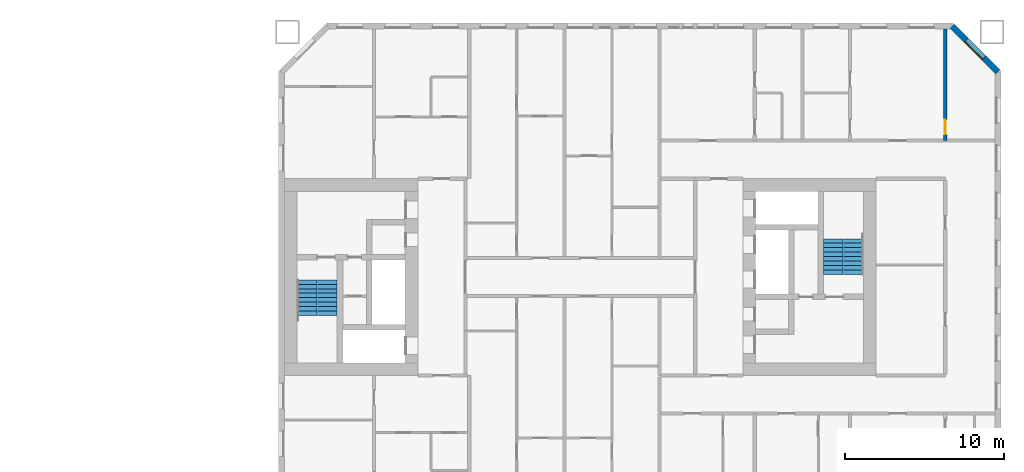
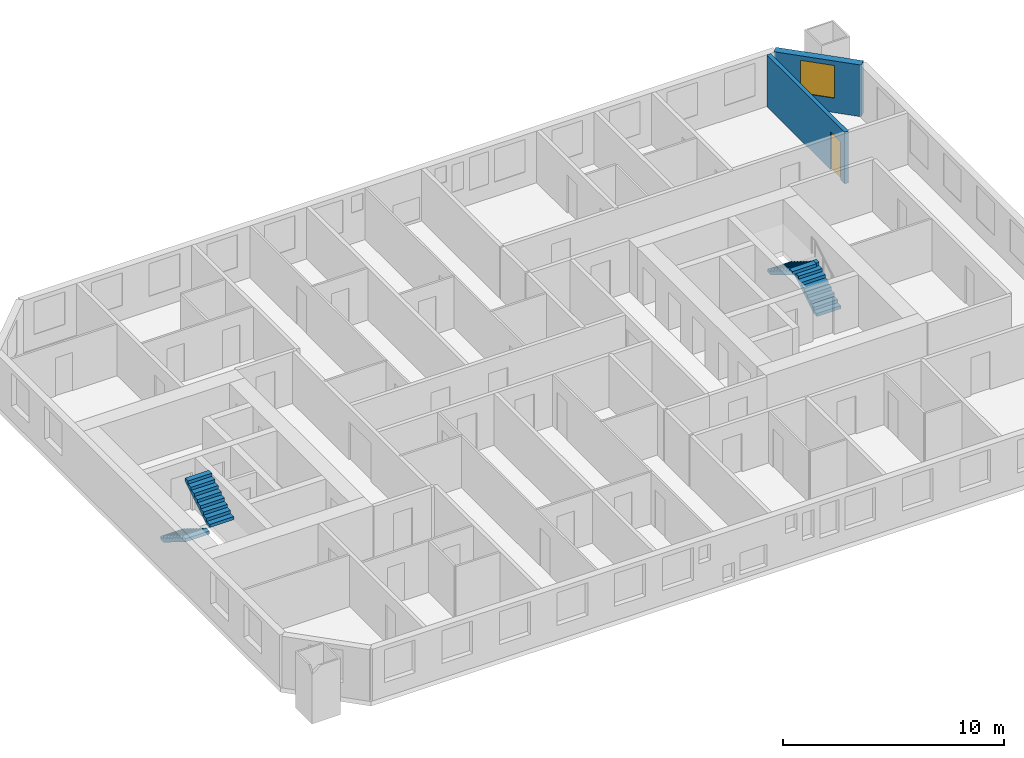
# One storey, part 14 of 16: 4 stair flights, 2 walls, 1 door, 1 window, 2 openings, 2 elements without a shape of their own.
"""IFC4 building model written with IfcOpenShell, lengths in metres."""

from ifc_helpers import new_model, si_unit, direction, frame, frame_2d, origin, place, context, subcontext, project, spatial, polyline, rectangle, outline, extrude, material, layer, layer_set, type_object, element, fill, aggregate, save


model = new_model("IFC4")

# Units and contexts
model_context = context("Model", 3, precision=1e-05, world=origin(), true_north=direction((0.0, 1.0)))
body_context = subcontext(model_context, "Body", "Model", "MODEL_VIEW")
ifc_project = project(units=[si_unit("LENGTHUNIT", "METRE"), si_unit("AREAUNIT", "SQUARE_METRE"), si_unit("VOLUMEUNIT", "CUBIC_METRE"), si_unit("PLANEANGLEUNIT", "RADIAN"), si_unit("MASSUNIT", "GRAM", prefix="KILO")], contexts=[model_context])

# Site, building, storey
site_placement = place(None, origin())
site = spatial("IfcSite", under=ifc_project, at=site_placement, CompositionType="ELEMENT")
building_placement = place(site_placement, origin())
building = spatial("IfcBuilding", under=site, at=building_placement, Name="Tuart Gate Housing", CompositionType="ELEMENT")
storey_placement = place(building_placement, frame((0.0, 0.0, 59.800048828125)))
storey = spatial("IfcBuildingStorey", under=building, at=storey_placement, Name="L16", CompositionType="ELEMENT", Elevation=59.800048828125)

# Wall, opening, window
ifc_material_1 = material(Name="Brick", Category="masonry")
ifc_layer_1 = layer(ifc_material_1, 0.360107421875)
ifc_layer_set_1 = layer_set([ifc_layer_1], Name="Brick pier and spandrel wall 360")
wall_type_1 = type_object("IfcWallType", Name="Brick pier and spandrel wall 360", PredefinedType="STANDARD", material=ifc_layer_set_1)
wall_1_placement = place(storey_placement, frame((176.320068359375, 82.92529296875, 0.0), z_axis=(0.0, 0.0, 1.0), x_axis=(-0.707106781187, 0.707106781187, 0.0)))
wall_1 = element("IfcWall", 1, at=wall_1_placement, inside=storey, type_object=wall_type_1, Name="External wall B-NE L16", PredefinedType="STANDARD", context=body_context, shape_type="SweptSolid", body=[
    extrude(rectangle(XDim=4.09375, YDim=0.360107421875, at=frame_2d((2.046875, 0.0))), origin(), (0.0, 0.0, 1.0), 2.849853515625),
])
opening_1_placement = place(wall_1_placement, frame((1.2470703125, 0.0, 0.800048828125)))
opening_1 = element("IfcOpeningElement", 2, at=opening_1_placement, cuts=wall_1, Name="Opening W1", PredefinedType="OPENING", context=body_context, shape_type="SweptSolid", body=[
    extrude(rectangle(XDim=1.60009765625, YDim=1.800048828125, at=frame_2d((0.800048828125, 0.89990234375))), frame((0.0, 0.18994140625, 0.0), z_axis=(0.0, -1.0, 0.0), x_axis=(1.0, 0.0, 0.0)), (0.0, 0.0, 1.0), 0.380126953125),
])
ifc_material_2 = material(Name="Aluminium frame with clear glass", Category="aluminium")
window_type = type_object("IfcWindowType", Name="Punched window 1600 x 1800", PartitioningType="SINGLE_PANEL", PredefinedType="WINDOW", material=ifc_material_2)
window_placement = place(opening_1_placement, origin())
window = element("IfcWindow", 3, at=window_placement, inside=storey, type_object=window_type, Name="Window W1", OverallHeight=1.800048828125, OverallWidth=1.60009765625, PartitioningType="SINGLE_PANEL", PredefinedType="WINDOW", context=body_context, shape_type="SweptSolid", body=[
    extrude(rectangle(XDim=1.60009765625, YDim=1.800048828125, at=frame_2d((0.800048828125, 0.89990234375))), frame((0.0, 0.150146484375, 0.0), z_axis=(0.0, -1.0, 0.0), x_axis=(1.0, 0.0, 0.0)), (0.0, 0.0, 1.0), 0.06005859375),
])
fill(opening_1, window)

# Wall, opening, door
ifc_material_3 = material(Name="Concrete C40", Category="concrete")
ifc_layer_2 = layer(ifc_material_3, 0.199951171875)
ifc_layer_set_2 = layer_set([ifc_layer_2], Name="Party wall concrete C40 200")
wall_type_2 = type_object("IfcWallType", Name="Party wall concrete C40 200", PredefinedType="SOLIDWALL", material=ifc_layer_set_2)
wall_2_placement = place(storey_placement, frame((173.0, 78.60009765625, 0.0), z_axis=(0.0, 0.0, 1.0), x_axis=(0.0, 1.0, 0.0)))
wall_2 = element("IfcWall", 4, at=wall_2_placement, inside=storey, type_object=wall_type_2, Name="Party wall concrete C40 200", PredefinedType="SOLIDWALL", context=body_context, shape_type="SweptSolid", body=[
    extrude(rectangle(XDim=7.039794921875, YDim=0.199951171875, at=frame_2d((3.52001953125, 0.0))), origin(), (0.0, 0.0, 1.0), 2.849853515625),
])
opening_2_placement = place(wall_2_placement, frame((0.39990234375, 0.0, 0.0)))
opening_2 = element("IfcOpeningElement", 5, at=opening_2_placement, cuts=wall_2, Name="Opening D782", PredefinedType="OPENING", context=body_context, shape_type="SweptSolid", body=[
    extrude(rectangle(XDim=0.89990234375, YDim=2.10009765625, at=frame_2d((0.449951171875, 1.050048828125))), frame((0.0, 0.10986328125, 0.0), z_axis=(0.0, -1.0, 0.0), x_axis=(1.0, 0.0, 0.0)), (0.0, 0.0, 1.0), 0.219970703125),
])
ifc_material_4 = material(Name="Timber door leaf in steel frame", Category="steel")
door_type = type_object("IfcDoorType", Name="Internal door 900 RH", OperationType="SINGLE_SWING_RIGHT", PredefinedType="DOOR", material=ifc_material_4)
door_placement = place(opening_2_placement, frame((0.89990234375, 0.0, 0.0), z_axis=(0.0, 0.0, 1.0), x_axis=(-1.0, 0.0, 0.0)))
door = element("IfcDoor", 6, at=door_placement, inside=storey, type_object=door_type, Name="Internal door", OperationType="SINGLE_SWING_RIGHT", OverallHeight=2.10009765625, OverallWidth=0.89990234375, PredefinedType="DOOR", context=body_context, shape_type="SweptSolid", body=[
    extrude(rectangle(XDim=0.89990234375, YDim=2.10009765625, at=frame_2d((0.449951171875, 1.050048828125))), frame((0.0, 0.025146484375, 0.0), z_axis=(0.0, -1.0, 0.0), x_axis=(1.0, 0.0, 0.0)), (0.0, 0.0, 1.0), 0.050048828125),
])
fill(opening_2, door)

# Stair, stair flights
ifc_material_5 = material(Name="Concrete C40", Category="concrete")
stair_type = type_object("IfcStairType", Name="Core stair 1250", PredefinedType="HALF_TURN_STAIR", material=ifc_material_5)
stair_1_placement = place(storey_placement, origin())
stair_1 = element("IfcStair", 7, at=stair_1_placement, inside=storey, type_object=stair_type, Name="Stair SB1", PredefinedType="HALF_TURN_STAIR")
ifc_material_6 = material(Name="Concrete C40", Category="concrete")
stair_flight_type = type_object("IfcStairFlightType", Name="Stair flight 1250, 9 risers 172 x 280", PredefinedType="STRAIGHT", material=ifc_material_6)
stair_flight_1_placement = place(storey_placement, frame((132.784912109375, 69.824951171875, 0.0), z_axis=(0.0, 0.0, 1.0), x_axis=(0.0, -1.0, 0.0)))
stair_flight_1 = element("IfcStairFlight", 8, at=stair_flight_1_placement, type_object=stair_flight_type, Name="SB1 flight 1", NumberOfRisers=9, NumberOfTreads=8, PredefinedType="STRAIGHT", RiserHeight=0.172222222, TreadLength=0.28, context=body_context, shape_type="SweptSolid", body=[
    extrude(outline(polyline([(0.0, 0.0), (0.0, 0.172119140625), (0.280029296875, 0.172119140625), (0.280029296875, 0.344482421875), (0.56005859375, 0.344482421875), (0.56005859375, 0.5166015625), (0.840087890625, 0.5166015625), (0.840087890625, 0.68896484375), (1.1201171875, 0.68896484375), (1.1201171875, 0.861083984375), (1.39990234375, 0.861083984375), (1.39990234375, 1.033447265625), (1.679931640625, 1.033447265625), (1.679931640625, 1.20556640625), (1.9599609375, 1.20556640625), (1.9599609375, 1.377685546875), (2.239990234375, 1.377685546875), (2.239990234375, 1.550048828125), (2.239990234375, 1.201904296875), (0.2861328125, 0.0), (0.0, 0.0)])), frame((0.0, 0.625, 0.0), z_axis=(0.0, -1.0, 0.0), x_axis=(1.0, 0.0, 0.0)), (0.0, 0.0, 1.0), 1.25),
])
stair_flight_2_placement = place(storey_placement, frame((134.06005859375, 67.5849609375, 1.550048828125), z_axis=(0.0, 0.0, 1.0), x_axis=(0.0, 1.0, 0.0)))
stair_flight_2 = element("IfcStairFlight", 9, at=stair_flight_2_placement, type_object=stair_flight_type, Name="SB1 flight 2", NumberOfRisers=9, NumberOfTreads=8, PredefinedType="STRAIGHT", RiserHeight=0.172222222, TreadLength=0.28, context=body_context, shape_type="SweptSolid", body=[
    extrude(outline(polyline([(0.0, 0.0), (0.0, 0.172119140625), (0.280029296875, 0.172119140625), (0.280029296875, 0.344482421875), (0.56005859375, 0.344482421875), (0.56005859375, 0.5166015625), (0.840087890625, 0.5166015625), (0.840087890625, 0.68896484375), (1.1201171875, 0.68896484375), (1.1201171875, 0.861083984375), (1.39990234375, 0.861083984375), (1.39990234375, 1.033447265625), (1.679931640625, 1.033447265625), (1.679931640625, 1.20556640625), (1.9599609375, 1.20556640625), (1.9599609375, 1.377685546875), (2.239990234375, 1.377685546875), (2.239990234375, 1.550048828125), (2.239990234375, 1.201904296875), (0.2861328125, 0.0), (0.0, 0.0)])), frame((0.0, 0.625, 0.0), z_axis=(0.0, -1.0, 0.0), x_axis=(1.0, 0.0, 0.0)), (0.0, 0.0, 1.0), 1.25),
])
aggregate(stair_1, [stair_flight_1, stair_flight_2])

stair_2_placement = place(storey_placement, origin())
stair_2 = element("IfcStair", 10, at=stair_2_placement, inside=storey, type_object=stair_type, Name="Stair SB2", PredefinedType="HALF_TURN_STAIR")
stair_flight_3_placement = place(storey_placement, frame((167.215087890625, 70.175048828125, 0.0), z_axis=(0.0, 0.0, 1.0), x_axis=(0.0, 1.0, 0.0)))
stair_flight_3 = element("IfcStairFlight", 11, at=stair_flight_3_placement, type_object=stair_flight_type, Name="SB2 flight 1", NumberOfRisers=9, NumberOfTreads=8, PredefinedType="STRAIGHT", RiserHeight=0.172222222, TreadLength=0.28, context=body_context, shape_type="SweptSolid", body=[
    extrude(outline(polyline([(0.0, 0.0), (0.0, 0.172119140625), (0.280029296875, 0.172119140625), (0.280029296875, 0.344482421875), (0.56005859375, 0.344482421875), (0.56005859375, 0.5166015625), (0.840087890625, 0.5166015625), (0.840087890625, 0.68896484375), (1.1201171875, 0.68896484375), (1.1201171875, 0.861083984375), (1.39990234375, 0.861083984375), (1.39990234375, 1.033447265625), (1.679931640625, 1.033447265625), (1.679931640625, 1.20556640625), (1.9599609375, 1.20556640625), (1.9599609375, 1.377685546875), (2.239990234375, 1.377685546875), (2.239990234375, 1.550048828125), (2.239990234375, 1.201904296875), (0.2861328125, 0.0), (0.0, 0.0)])), frame((0.0, 0.625, 0.0), z_axis=(0.0, -1.0, 0.0), x_axis=(1.0, 0.0, 0.0)), (0.0, 0.0, 1.0), 1.25),
])
stair_flight_4_placement = place(storey_placement, frame((165.93994140625, 72.4150390625, 1.550048828125), z_axis=(0.0, 0.0, 1.0), x_axis=(0.0, -1.0, 0.0)))
stair_flight_4 = element("IfcStairFlight", 12, at=stair_flight_4_placement, type_object=stair_flight_type, Name="SB2 flight 2", NumberOfRisers=9, NumberOfTreads=8, PredefinedType="STRAIGHT", RiserHeight=0.172222222, TreadLength=0.28, context=body_context, shape_type="SweptSolid", body=[
    extrude(outline(polyline([(0.0, 0.0), (0.0, 0.172119140625), (0.280029296875, 0.172119140625), (0.280029296875, 0.344482421875), (0.56005859375, 0.344482421875), (0.56005859375, 0.5166015625), (0.840087890625, 0.5166015625), (0.840087890625, 0.68896484375), (1.1201171875, 0.68896484375), (1.1201171875, 0.861083984375), (1.39990234375, 0.861083984375), (1.39990234375, 1.033447265625), (1.679931640625, 1.033447265625), (1.679931640625, 1.20556640625), (1.9599609375, 1.20556640625), (1.9599609375, 1.377685546875), (2.239990234375, 1.377685546875), (2.239990234375, 1.550048828125), (2.239990234375, 1.201904296875), (0.2861328125, 0.0), (0.0, 0.0)])), frame((0.0, 0.625, 0.0), z_axis=(0.0, -1.0, 0.0), x_axis=(1.0, 0.0, 0.0)), (0.0, 0.0, 1.0), 1.25),
])
aggregate(stair_2, [stair_flight_3, stair_flight_4])

save(model, "model.ifc")
